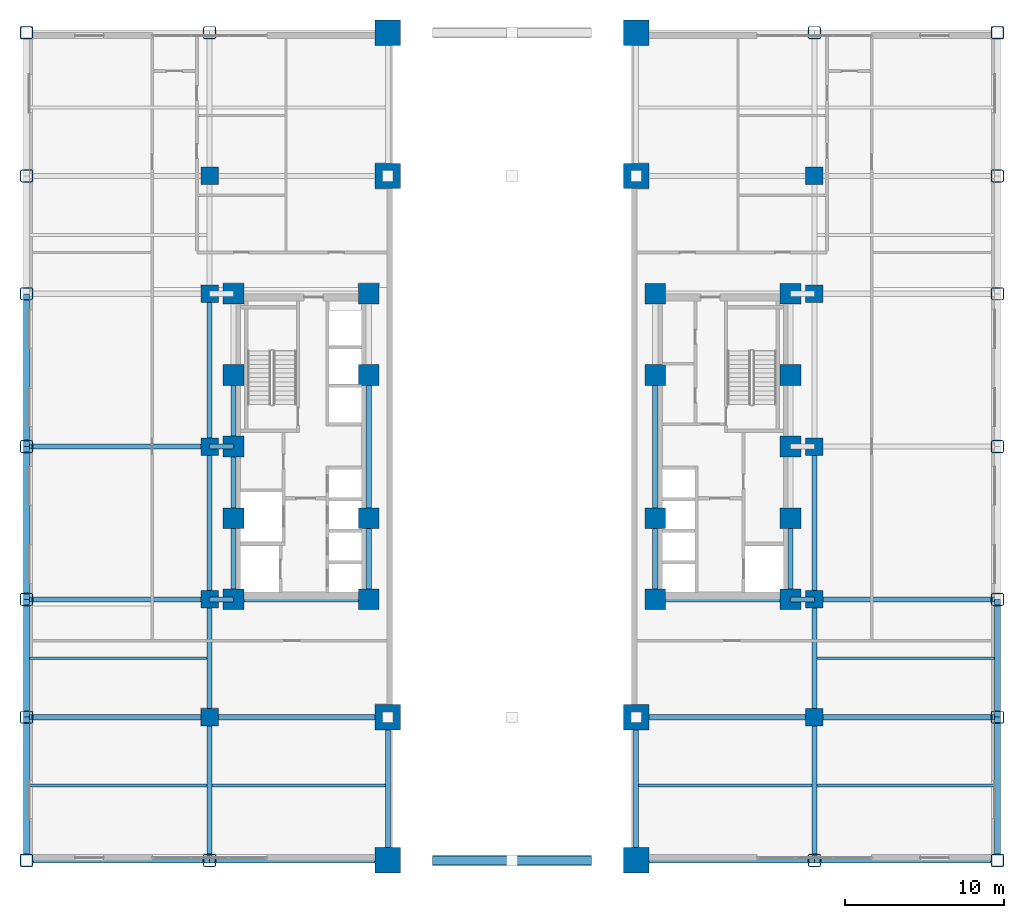
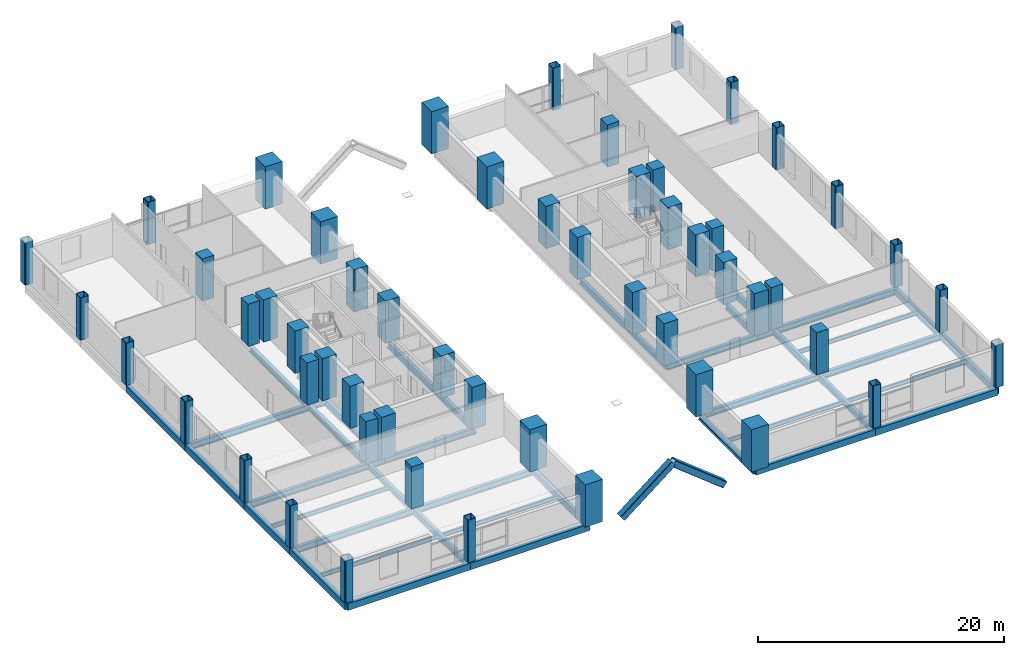
# One storey, part 1 of 14: 54 columns, 47 beams.
"""IFC4 building model written with IfcOpenShell, lengths in metres."""

from ifc_helpers import new_model, si_unit, direction, frame, origin, origin_2d, place, context, subcontext, project, spatial, rectangle, hollow_rectangle, i_section, extrude, material, material_profile, profile_set, type_object, element, save


model = new_model("IFC4")

# Units and contexts
model_context = context("Model", 3, precision=1e-05, world=origin(), true_north=direction((0.0, 1.0)))
body_context = subcontext(model_context, "Body", "Model", "MODEL_VIEW")
ifc_project = project(units=[si_unit("LENGTHUNIT", "METRE"), si_unit("AREAUNIT", "SQUARE_METRE"), si_unit("VOLUMEUNIT", "CUBIC_METRE"), si_unit("PLANEANGLEUNIT", "RADIAN"), si_unit("MASSUNIT", "GRAM", prefix="KILO")], contexts=[model_context])

# Site, building, storey
site_placement = place(None, origin())
site = spatial("IfcSite", under=ifc_project, at=site_placement, CompositionType="ELEMENT")
building_placement = place(site_placement, origin())
building = spatial("IfcBuilding", under=site, at=building_placement, Name="Nuvemarco Arch Tower", CompositionType="ELEMENT")
storey_placement = place(building_placement, frame((0.0, 0.0, 13.800048828125)))
storey = spatial("IfcBuildingStorey", under=building, at=storey_placement, Name="L03", CompositionType="ELEMENT", Elevation=13.800048828125)

# Columns
ifc_material_1 = material(Name="Concrete C60/75", Category="concrete")
ifc_material_profile_1 = material_profile(ifc_material_1, rectangle(XDim=1.10009765625, YDim=1.10009765625, at=origin_2d()), Name="RC-COL-1100x1100")
ifc_profile_set_1 = profile_set([ifc_material_profile_1], Name="Concrete C60/75")
column_type_1 = type_object("IfcColumnType", Name="COL-CORE-1100", PredefinedType="COLUMN", material=ifc_profile_set_1)
for number, where, z_axis, x_axis, name in (
    (1, (-19.0, -17.0, 0.0), (0.0, 0.0, 1.0), (1.0, 0.0, 0.0), "L03 column CP_-19.0_-17.0"),
    (2, (-19.0, -9.60009765625, 0.0), (0.0, 0.0, 1.0), (1.0, 0.0, 0.0), "L03 column CP_-19.0_-9.6"),
    (3, (-19.0, 0.0, 0.0), (0.0, 0.0, 1.0), (1.0, 0.0, 0.0), "L03 column CP_-19.0_+0.0"),
    (4, (-19.0, 9.60009765625, 0.0), (0.0, 0.0, 1.0), (1.0, 0.0, 0.0), "L03 column CP_-19.0_+9.6"),
    (5, (-19.0, 17.0, 0.0), (0.0, 0.0, 1.0), (1.0, 0.0, 0.0), "L03 column CP_-19.0_+17.0"),
    (6, (19.0, -17.0, 0.0), (0.0, 0.0, 1.0), (1.0, 0.0, 0.0), "L03 column CP_+19.0_-17.0"),
    (7, (19.0, -9.60009765625, 0.0), (0.0, 0.0, 1.0), (1.0, 0.0, 0.0), "L03 column CP_+19.0_-9.6"),
    (8, (19.0, 0.0, 0.0), (0.0, 0.0, 1.0), (1.0, 0.0, 0.0), "L03 column CP_+19.0_+0.0"),
    (9, (19.0, 9.60009765625, 0.0), (0.0, 0.0, 1.0), (1.0, 0.0, 0.0), "L03 column CP_+19.0_+9.6"),
    (10, (19.0, 17.0, 0.0), (0.0, 0.0, 1.0), (1.0, 0.0, 0.0), "L03 column CP_+19.0_+17.0"),
):
    element("IfcColumn", number, at=place(storey_placement, frame(where, z_axis=z_axis, x_axis=x_axis)), inside=storey, type_object=column_type_1, Name=name, PredefinedType="COLUMN", context=body_context, shape_type="SweptSolid", body=[
        extrude(rectangle(XDim=1.10009765625, YDim=1.10009765625, at=origin_2d()), origin(), (0.0, 0.0, 1.0), 4.199951171875),
    ])
ifc_material_profile_2 = material_profile(ifc_material_1, rectangle(XDim=1.300048828125, YDim=1.300048828125, at=origin_2d()), Name="RC-COL-1300x1300")
ifc_profile_set_2 = profile_set([ifc_material_profile_2], Name="Concrete C60/75")
column_type_2 = type_object("IfcColumnType", Name="COL-CORE-1300", PredefinedType="COLUMN", material=ifc_profile_set_2)
for number, where, z_axis, x_axis, name in (
    (11, (-17.5, -9.60009765625, 0.0), (0.0, 0.0, 1.0), (1.0, 0.0, 0.0), "L03 column CC_-17.5_-9.6"),
    (12, (-17.5, -4.5, 0.0), (0.0, 0.0, 1.0), (1.0, 0.0, 0.0), "L03 column CC_-17.5_-4.5"),
    (13, (-17.5, 4.5, 0.0), (0.0, 0.0, 1.0), (1.0, 0.0, 0.0), "L03 column CC_-17.5_+4.5"),
    (14, (-17.5, 9.60009765625, 0.0), (0.0, 0.0, 1.0), (1.0, 0.0, 0.0), "L03 column CC_-17.5_+9.6"),
    (15, (-9.0, -9.60009765625, 0.0), (0.0, 0.0, 1.0), (1.0, 0.0, 0.0), "L03 column CC_-9.0_-9.6"),
    (16, (-9.0, -4.5, 0.0), (0.0, 0.0, 1.0), (1.0, 0.0, 0.0), "L03 column CC_-9.0_-4.5"),
    (17, (-9.0, 4.5, 0.0), (0.0, 0.0, 1.0), (1.0, 0.0, 0.0), "L03 column CC_-9.0_+4.5"),
    (18, (-9.0, 9.60009765625, 0.0), (0.0, 0.0, 1.0), (1.0, 0.0, 0.0), "L03 column CC_-9.0_+9.6"),
    (19, (9.0, -9.60009765625, 0.0), (0.0, 0.0, 1.0), (1.0, 0.0, 0.0), "L03 column CC_+9.0_-9.6"),
    (20, (9.0, -4.5, 0.0), (0.0, 0.0, 1.0), (1.0, 0.0, 0.0), "L03 column CC_+9.0_-4.5"),
    (21, (9.0, 4.5, 0.0), (0.0, 0.0, 1.0), (1.0, 0.0, 0.0), "L03 column CC_+9.0_+4.5"),
    (22, (9.0, 9.60009765625, 0.0), (0.0, 0.0, 1.0), (1.0, 0.0, 0.0), "L03 column CC_+9.0_+9.6"),
    (23, (17.5, -9.60009765625, 0.0), (0.0, 0.0, 1.0), (1.0, 0.0, 0.0), "L03 column CC_+17.5_-9.6"),
    (24, (17.5, -4.5, 0.0), (0.0, 0.0, 1.0), (1.0, 0.0, 0.0), "L03 column CC_+17.5_-4.5"),
    (25, (17.5, 4.5, 0.0), (0.0, 0.0, 1.0), (1.0, 0.0, 0.0), "L03 column CC_+17.5_+4.5"),
    (26, (17.5, 9.60009765625, 0.0), (0.0, 0.0, 1.0), (1.0, 0.0, 0.0), "L03 column CC_+17.5_+9.6"),
    (27, (-17.5, 0.0, 0.0), (0.0, 0.0, 1.0), (1.0, 0.0, 0.0), "L03 column CC_-17.5_+0.0"),
    (28, (17.5, 0.0, 0.0), (0.0, 0.0, 1.0), (1.0, 0.0, 0.0), "L03 column CC_+17.5_+0.0"),
):
    element("IfcColumn", number, at=place(storey_placement, frame(where, z_axis=z_axis, x_axis=x_axis)), inside=storey, type_object=column_type_2, Name=name, PredefinedType="COLUMN", context=body_context, shape_type="SweptSolid", body=[
        extrude(rectangle(XDim=1.300048828125, YDim=1.300048828125, at=origin_2d()), origin(), (0.0, 0.0, 1.0), 4.199951171875),
    ])
ifc_material_2 = material(Name="Steel S460", Category="steel")
ifc_material_profile_3 = material_profile(ifc_material_2, hollow_rectangle(XDim=0.800048828125, YDim=0.800048828125, WallThickness=0.054931640625, InnerFilletRadius=0.054931640625, OuterFilletRadius=0.110107421875, at=origin_2d()), Name="SHS800x800x55")
ifc_profile_set_3 = profile_set([ifc_material_profile_3], Name="Steel S460")
column_type_3 = type_object("IfcColumnType", Name="COL-EXO-800", PredefinedType="COLUMN", material=ifc_profile_set_3)
for number, where, z_axis, x_axis, name in (
    (29, (-30.5, -26.0, 0.0), (0.0, 0.0, 1.0), (1.0, 0.0, 0.0), "L03 column CP_-30.5_-26.0"),
    (30, (-30.5, -17.0, 0.0), (0.0, 0.0, 1.0), (1.0, 0.0, 0.0), "L03 column CP_-30.5_-17.0"),
    (31, (-30.5, -9.60009765625, 0.0), (0.0, 0.0, 1.0), (1.0, 0.0, 0.0), "L03 column CP_-30.5_-9.6"),
    (32, (-30.5, 0.0, 0.0), (0.0, 0.0, 1.0), (1.0, 0.0, 0.0), "L03 column CP_-30.5_+0.0"),
    (33, (-30.5, 9.60009765625, 0.0), (0.0, 0.0, 1.0), (1.0, 0.0, 0.0), "L03 column CP_-30.5_+9.6"),
    (34, (-30.5, 17.0, 0.0), (0.0, 0.0, 1.0), (1.0, 0.0, 0.0), "L03 column CP_-30.5_+17.0"),
    (35, (-30.5, 26.0, 0.0), (0.0, 0.0, 1.0), (1.0, 0.0, 0.0), "L03 column CP_-30.5_+26.0"),
    (36, (-19.0, -26.0, 0.0), (0.0, 0.0, 1.0), (1.0, 0.0, 0.0), "L03 column CP_-19.0_-26.0"),
    (37, (-19.0, 26.0, 0.0), (0.0, 0.0, 1.0), (1.0, 0.0, 0.0), "L03 column CP_-19.0_+26.0"),
    (38, (19.0, -26.0, 0.0), (0.0, 0.0, 1.0), (1.0, 0.0, 0.0), "L03 column CP_+19.0_-26.0"),
    (39, (19.0, 26.0, 0.0), (0.0, 0.0, 1.0), (1.0, 0.0, 0.0), "L03 column CP_+19.0_+26.0"),
    (40, (30.5, -26.0, 0.0), (0.0, 0.0, 1.0), (1.0, 0.0, 0.0), "L03 column CP_+30.5_-26.0"),
    (41, (30.5, -17.0, 0.0), (0.0, 0.0, 1.0), (1.0, 0.0, 0.0), "L03 column CP_+30.5_-17.0"),
    (42, (30.5, -9.60009765625, 0.0), (0.0, 0.0, 1.0), (1.0, 0.0, 0.0), "L03 column CP_+30.5_-9.6"),
    (43, (30.5, 0.0, 0.0), (0.0, 0.0, 1.0), (1.0, 0.0, 0.0), "L03 column CP_+30.5_+0.0"),
    (44, (30.5, 9.60009765625, 0.0), (0.0, 0.0, 1.0), (1.0, 0.0, 0.0), "L03 column CP_+30.5_+9.6"),
    (45, (30.5, 17.0, 0.0), (0.0, 0.0, 1.0), (1.0, 0.0, 0.0), "L03 column CP_+30.5_+17.0"),
    (46, (30.5, 26.0, 0.0), (0.0, 0.0, 1.0), (1.0, 0.0, 0.0), "L03 column CP_+30.5_+26.0"),
):
    element("IfcColumn", number, at=place(storey_placement, frame(where, z_axis=z_axis, x_axis=x_axis)), inside=storey, type_object=column_type_3, Name=name, PredefinedType="COLUMN", context=body_context, shape_type="SweptSolid", body=[
        extrude(hollow_rectangle(XDim=0.800048828125, YDim=0.800048828125, WallThickness=0.054931640625, InnerFilletRadius=0.054931640625, OuterFilletRadius=0.110107421875, at=origin_2d()), origin(), (0.0, 0.0, 1.0), 4.199951171875),
    ])
ifc_material_profile_4 = material_profile(ifc_material_1, rectangle(XDim=1.60009765625, YDim=1.60009765625, at=origin_2d()), Name="RC-COL-1600x1600")
ifc_profile_set_4 = profile_set([ifc_material_profile_4], Name="Concrete C60/75")
column_type_4 = type_object("IfcColumnType", Name="COL-MEGA-1600-EXT", PredefinedType="COLUMN", material=ifc_profile_set_4)
for number, where, z_axis, x_axis, name in (
    (47, (-7.800048828125, -26.0, 0.0), (0.0, 0.0, 1.0), (1.0, 0.0, 0.0), "L03 column CM_-7.8_-26.0"),
    (48, (-7.800048828125, -17.0, 0.0), (0.0, 0.0, 1.0), (1.0, 0.0, 0.0), "L03 column CM_-7.8_-17.0"),
    (49, (-7.800048828125, 17.0, 0.0), (0.0, 0.0, 1.0), (1.0, 0.0, 0.0), "L03 column CM_-7.8_+17.0"),
    (50, (-7.800048828125, 26.0, 0.0), (0.0, 0.0, 1.0), (1.0, 0.0, 0.0), "L03 column CM_-7.8_+26.0"),
    (51, (7.800048828125, -26.0, 0.0), (0.0, 0.0, 1.0), (1.0, 0.0, 0.0), "L03 column CM_+7.8_-26.0"),
    (52, (7.800048828125, -17.0, 0.0), (0.0, 0.0, 1.0), (1.0, 0.0, 0.0), "L03 column CM_+7.8_-17.0"),
    (53, (7.800048828125, 17.0, 0.0), (0.0, 0.0, 1.0), (1.0, 0.0, 0.0), "L03 column CM_+7.8_+17.0"),
    (54, (7.800048828125, 26.0, 0.0), (0.0, 0.0, 1.0), (1.0, 0.0, 0.0), "L03 column CM_+7.8_+26.0"),
):
    element("IfcColumn", number, at=place(storey_placement, frame(where, z_axis=z_axis, x_axis=x_axis)), inside=storey, type_object=column_type_4, Name=name, PredefinedType="COLUMN", context=body_context, shape_type="SweptSolid", body=[
        extrude(rectangle(XDim=1.60009765625, YDim=1.60009765625, at=origin_2d()), origin(), (0.0, 0.0, 1.0), 4.199951171875),
    ])

# Beams
ifc_material_3 = material(Name="Steel S355", Category="steel")
ifc_material_profile_5 = material_profile(ifc_material_3, hollow_rectangle(XDim=0.64990234375, YDim=0.64990234375, WallThickness=0.0400390625, InnerFilletRadius=0.0400390625, OuterFilletRadius=0.080078125, at=origin_2d()), Name="SHS650x650x40")
ifc_profile_set_5 = profile_set([ifc_material_profile_5], Name="Steel S355")
beam_type_1 = type_object("IfcBeamType", Name="BM-ARCH-RIB", PredefinedType="BEAM", material=ifc_profile_set_5)
for number, where, z_axis, x_axis, name in (
    (55, (-4.800048828125, -26.0, -0.800048828125), (0.784045015832, 0.0, 0.620703965791), (0.0, 1.0, 0.0), "Monumental portal arch rib segment S-3"),
    (56, (0.0, -26.0, 3.0), (0.784045015832, 0.0, -0.620703965791), (0.0, 1.0, 0.0), "Monumental portal arch rib segment S-4"),
):
    element("IfcBeam", number, at=place(storey_placement, frame(where, z_axis=z_axis, x_axis=x_axis)), inside=storey, type_object=beam_type_1, Name=name, PredefinedType="BEAM", context=body_context, shape_type="SweptSolid", body=[
        extrude(hollow_rectangle(XDim=0.64990234375, YDim=0.64990234375, WallThickness=0.0400390625, InnerFilletRadius=0.0400390625, OuterFilletRadius=0.080078125, at=origin_2d()), origin(), (0.0, 0.0, 1.0), 6.1220703125),
    ])
ifc_material_profile_6 = material_profile(ifc_material_3, i_section(OverallWidth=0.324951171875, OverallDepth=0.615966796875, WebThickness=0.013916015625, FlangeThickness=0.021484375, FilletRadius=0.01611328125, at=origin_2d()), Name="W610x174")
ifc_profile_set_6 = profile_set([ifc_material_profile_6], Name="Steel S355")
beam_type_2 = type_object("IfcBeamType", Name="BM-GIRD-610H", PredefinedType="BEAM", material=ifc_profile_set_6)
beam_1_placement = place(storey_placement, frame((-19.0, -26.0, -0.6279296875), z_axis=(0.0, 1.0, 0.0), x_axis=(-1.0, 0.0, 0.0)))
element("IfcBeam", 57, at=beam_1_placement, inside=storey, type_object=beam_type_2, Name="L03 structural beam BGNS_L03_0_-19.0_-26.0", PredefinedType="BEAM", context=body_context, shape_type="SweptSolid", body=[
    extrude(i_section(OverallWidth=0.324951171875, OverallDepth=0.615966796875, WebThickness=0.013916015625, FlangeThickness=0.021484375, FilletRadius=0.01611328125, at=origin_2d()), origin(), (0.0, 0.0, 1.0), 9.0),
])
beam_2_placement = place(storey_placement, frame((-19.0, -17.0, -0.6279296875), z_axis=(0.0, 1.0, 0.0), x_axis=(-1.0, 0.0, 0.0)))
element("IfcBeam", 58, at=beam_2_placement, inside=storey, type_object=beam_type_2, Name="L03 structural beam BGNS_L03_0_-19.0_-17.0", PredefinedType="BEAM", context=body_context, shape_type="SweptSolid", body=[
    extrude(i_section(OverallWidth=0.324951171875, OverallDepth=0.615966796875, WebThickness=0.013916015625, FlangeThickness=0.021484375, FilletRadius=0.01611328125, at=origin_2d()), origin(), (0.0, 0.0, 1.0), 7.39990234375),
])
for number, where, z_axis, x_axis, name in (
    (59, (-19.0, -9.60009765625, -0.6279296875), (0.0, 1.0, 0.0), (-1.0, 0.0, 0.0), "L03 structural beam BGNS_L03_0_-19.0_-9.6"),
    (60, (-19.0, 0.0, -0.6279296875), (0.0, 1.0, 0.0), (-1.0, 0.0, 0.0), "L03 structural beam BGNS_L03_0_-19.0_+0.0"),
):
    element("IfcBeam", number, at=place(storey_placement, frame(where, z_axis=z_axis, x_axis=x_axis)), inside=storey, type_object=beam_type_2, Name=name, PredefinedType="BEAM", context=body_context, shape_type="SweptSolid", body=[
        extrude(i_section(OverallWidth=0.324951171875, OverallDepth=0.615966796875, WebThickness=0.013916015625, FlangeThickness=0.021484375, FilletRadius=0.01611328125, at=origin_2d()), origin(), (0.0, 0.0, 1.0), 9.60009765625),
    ])
beam_3_placement = place(storey_placement, frame((-17.5, -9.60009765625, -0.6279296875), z_axis=(0.0, 1.0, 0.0), x_axis=(-1.0, 0.0, 0.0)))
element("IfcBeam", 61, at=beam_3_placement, inside=storey, type_object=beam_type_2, Name="L03 structural beam BGNS_L03_0_-17.5_-9.6", PredefinedType="BEAM", context=body_context, shape_type="SweptSolid", body=[
    extrude(i_section(OverallWidth=0.324951171875, OverallDepth=0.615966796875, WebThickness=0.013916015625, FlangeThickness=0.021484375, FilletRadius=0.01611328125, at=origin_2d()), origin(), (0.0, 0.0, 1.0), 5.10009765625),
])
for number, where, z_axis, x_axis, name in (
    (62, (-17.5, -4.5, -0.6279296875), (0.0, 1.0, 0.0), (-1.0, 0.0, 0.0), "L03 structural beam BGNS_L03_0_-17.5_-4.5"),
    (63, (-17.5, 0.0, -0.6279296875), (0.0, 1.0, 0.0), (-1.0, 0.0, 0.0), "L03 structural beam BGNS_L03_0_-17.5_+0.0"),
):
    element("IfcBeam", number, at=place(storey_placement, frame(where, z_axis=z_axis, x_axis=x_axis)), inside=storey, type_object=beam_type_2, Name=name, PredefinedType="BEAM", context=body_context, shape_type="SweptSolid", body=[
        extrude(i_section(OverallWidth=0.324951171875, OverallDepth=0.615966796875, WebThickness=0.013916015625, FlangeThickness=0.021484375, FilletRadius=0.01611328125, at=origin_2d()), origin(), (0.0, 0.0, 1.0), 4.5),
    ])
beam_4_placement = place(storey_placement, frame((-9.0, -9.60009765625, -0.6279296875), z_axis=(0.0, 1.0, 0.0), x_axis=(-1.0, 0.0, 0.0)))
element("IfcBeam", 64, at=beam_4_placement, inside=storey, type_object=beam_type_2, Name="L03 structural beam BGNS_L03_0_-9.0_-9.6", PredefinedType="BEAM", context=body_context, shape_type="SweptSolid", body=[
    extrude(i_section(OverallWidth=0.324951171875, OverallDepth=0.615966796875, WebThickness=0.013916015625, FlangeThickness=0.021484375, FilletRadius=0.01611328125, at=origin_2d()), origin(), (0.0, 0.0, 1.0), 5.10009765625),
])
for number, where, z_axis, x_axis, name in (
    (65, (-9.0, -4.5, -0.6279296875), (0.0, 1.0, 0.0), (-1.0, 0.0, 0.0), "L03 structural beam BGNS_L03_0_-9.0_-4.5"),
    (66, (-7.800048828125, -26.0, -0.6279296875), (0.0, 1.0, 0.0), (-1.0, 0.0, 0.0), "L03 structural beam BGNS_L03_0_-7.8_-26.0"),
):
    element("IfcBeam", number, at=place(storey_placement, frame(where, z_axis=z_axis, x_axis=x_axis)), inside=storey, type_object=beam_type_2, Name=name, PredefinedType="BEAM", context=body_context, shape_type="SweptSolid", body=[
        extrude(i_section(OverallWidth=0.324951171875, OverallDepth=0.615966796875, WebThickness=0.013916015625, FlangeThickness=0.021484375, FilletRadius=0.01611328125, at=origin_2d()), origin(), (0.0, 0.0, 1.0), 9.0),
    ])
beam_5_placement = place(storey_placement, frame((-30.5, -17.0, -0.6279296875), z_axis=(1.0, 0.0, 0.0), x_axis=(0.0, 1.0, 0.0)))
element("IfcBeam", 67, at=beam_5_placement, inside=storey, type_object=beam_type_2, Name="L03 structural beam BGEW_L03_0_-17.0_-30.5", PredefinedType="BEAM", context=body_context, shape_type="SweptSolid", body=[
    extrude(i_section(OverallWidth=0.324951171875, OverallDepth=0.615966796875, WebThickness=0.013916015625, FlangeThickness=0.021484375, FilletRadius=0.01611328125, at=origin_2d()), origin(), (0.0, 0.0, 1.0), 11.5),
])
beam_6_placement = place(storey_placement, frame((-19.0, -17.0, -0.6279296875), z_axis=(1.0, 0.0, 0.0), x_axis=(0.0, 1.0, 0.0)))
element("IfcBeam", 68, at=beam_6_placement, inside=storey, type_object=beam_type_2, Name="L03 structural beam BGEW_L03_0_-17.0_-19.0", PredefinedType="BEAM", context=body_context, shape_type="SweptSolid", body=[
    extrude(i_section(OverallWidth=0.324951171875, OverallDepth=0.615966796875, WebThickness=0.013916015625, FlangeThickness=0.021484375, FilletRadius=0.01611328125, at=origin_2d()), origin(), (0.0, 0.0, 1.0), 11.199951171875),
])
beam_7_placement = place(storey_placement, frame((-30.5, -9.60009765625, -0.6279296875), z_axis=(1.0, 0.0, 0.0), x_axis=(0.0, 1.0, 0.0)))
element("IfcBeam", 69, at=beam_7_placement, inside=storey, type_object=beam_type_2, Name="L03 structural beam BGEW_L03_0_-9.6_-30.5", PredefinedType="BEAM", context=body_context, shape_type="SweptSolid", body=[
    extrude(i_section(OverallWidth=0.324951171875, OverallDepth=0.615966796875, WebThickness=0.013916015625, FlangeThickness=0.021484375, FilletRadius=0.01611328125, at=origin_2d()), origin(), (0.0, 0.0, 1.0), 11.5),
])
beam_8_placement = place(storey_placement, frame((-19.0, -9.60009765625, -0.6279296875), z_axis=(1.0, 0.0, 0.0), x_axis=(0.0, 1.0, 0.0)))
element("IfcBeam", 70, at=beam_8_placement, inside=storey, type_object=beam_type_2, Name="L03 structural beam BGEW_L03_0_-9.6_-19.0", PredefinedType="BEAM", context=body_context, shape_type="SweptSolid", body=[
    extrude(i_section(OverallWidth=0.324951171875, OverallDepth=0.615966796875, WebThickness=0.013916015625, FlangeThickness=0.021484375, FilletRadius=0.01611328125, at=origin_2d()), origin(), (0.0, 0.0, 1.0), 1.5),
])
beam_9_placement = place(storey_placement, frame((-17.5, -9.60009765625, -0.6279296875), z_axis=(1.0, 0.0, 0.0), x_axis=(0.0, 1.0, 0.0)))
element("IfcBeam", 71, at=beam_9_placement, inside=storey, type_object=beam_type_2, Name="L03 structural beam BGEW_L03_0_-9.6_-17.5", PredefinedType="BEAM", context=body_context, shape_type="SweptSolid", body=[
    extrude(i_section(OverallWidth=0.324951171875, OverallDepth=0.615966796875, WebThickness=0.013916015625, FlangeThickness=0.021484375, FilletRadius=0.01611328125, at=origin_2d()), origin(), (0.0, 0.0, 1.0), 8.5),
])
beam_10_placement = place(storey_placement, frame((-30.5, 0.0, -0.6279296875), z_axis=(1.0, 0.0, 0.0), x_axis=(0.0, 1.0, 0.0)))
element("IfcBeam", 72, at=beam_10_placement, inside=storey, type_object=beam_type_2, Name="L03 structural beam BGEW_L03_0_+0.0_-30.5", PredefinedType="BEAM", context=body_context, shape_type="SweptSolid", body=[
    extrude(i_section(OverallWidth=0.324951171875, OverallDepth=0.615966796875, WebThickness=0.013916015625, FlangeThickness=0.021484375, FilletRadius=0.01611328125, at=origin_2d()), origin(), (0.0, 0.0, 1.0), 11.5),
])
beam_11_placement = place(storey_placement, frame((-19.0, 0.0, -0.6279296875), z_axis=(1.0, 0.0, 0.0), x_axis=(0.0, 1.0, 0.0)))
element("IfcBeam", 73, at=beam_11_placement, inside=storey, type_object=beam_type_2, Name="L03 structural beam BGEW_L03_0_+0.0_-19.0", PredefinedType="BEAM", context=body_context, shape_type="SweptSolid", body=[
    extrude(i_section(OverallWidth=0.324951171875, OverallDepth=0.615966796875, WebThickness=0.013916015625, FlangeThickness=0.021484375, FilletRadius=0.01611328125, at=origin_2d()), origin(), (0.0, 0.0, 1.0), 1.5),
])
beam_12_placement = place(storey_placement, frame((7.800048828125, -26.0, -0.6279296875), z_axis=(0.0, 1.0, 0.0), x_axis=(-1.0, 0.0, 0.0)))
element("IfcBeam", 74, at=beam_12_placement, inside=storey, type_object=beam_type_2, Name="L03 structural beam BGNS_L03_1_+7.8_-26.0", PredefinedType="BEAM", context=body_context, shape_type="SweptSolid", body=[
    extrude(i_section(OverallWidth=0.324951171875, OverallDepth=0.615966796875, WebThickness=0.013916015625, FlangeThickness=0.021484375, FilletRadius=0.01611328125, at=origin_2d()), origin(), (0.0, 0.0, 1.0), 9.0),
])
beam_13_placement = place(storey_placement, frame((9.0, -9.60009765625, -0.6279296875), z_axis=(0.0, 1.0, 0.0), x_axis=(-1.0, 0.0, 0.0)))
element("IfcBeam", 75, at=beam_13_placement, inside=storey, type_object=beam_type_2, Name="L03 structural beam BGNS_L03_1_+9.0_-9.6", PredefinedType="BEAM", context=body_context, shape_type="SweptSolid", body=[
    extrude(i_section(OverallWidth=0.324951171875, OverallDepth=0.615966796875, WebThickness=0.013916015625, FlangeThickness=0.021484375, FilletRadius=0.01611328125, at=origin_2d()), origin(), (0.0, 0.0, 1.0), 5.10009765625),
])
beam_14_placement = place(storey_placement, frame((9.0, -4.5, -0.6279296875), z_axis=(0.0, 1.0, 0.0), x_axis=(-1.0, 0.0, 0.0)))
element("IfcBeam", 76, at=beam_14_placement, inside=storey, type_object=beam_type_2, Name="L03 structural beam BGNS_L03_1_+9.0_-4.5", PredefinedType="BEAM", context=body_context, shape_type="SweptSolid", body=[
    extrude(i_section(OverallWidth=0.324951171875, OverallDepth=0.615966796875, WebThickness=0.013916015625, FlangeThickness=0.021484375, FilletRadius=0.01611328125, at=origin_2d()), origin(), (0.0, 0.0, 1.0), 9.0),
])
beam_15_placement = place(storey_placement, frame((17.5, -9.60009765625, -0.6279296875), z_axis=(0.0, 1.0, 0.0), x_axis=(-1.0, 0.0, 0.0)))
element("IfcBeam", 77, at=beam_15_placement, inside=storey, type_object=beam_type_2, Name="L03 structural beam BGNS_L03_1_+17.5_-9.6", PredefinedType="BEAM", context=body_context, shape_type="SweptSolid", body=[
    extrude(i_section(OverallWidth=0.324951171875, OverallDepth=0.615966796875, WebThickness=0.013916015625, FlangeThickness=0.021484375, FilletRadius=0.01611328125, at=origin_2d()), origin(), (0.0, 0.0, 1.0), 5.10009765625),
])
beam_16_placement = place(storey_placement, frame((19.0, -26.0, -0.6279296875), z_axis=(0.0, 1.0, 0.0), x_axis=(-1.0, 0.0, 0.0)))
element("IfcBeam", 78, at=beam_16_placement, inside=storey, type_object=beam_type_2, Name="L03 structural beam BGNS_L03_1_+19.0_-26.0", PredefinedType="BEAM", context=body_context, shape_type="SweptSolid", body=[
    extrude(i_section(OverallWidth=0.324951171875, OverallDepth=0.615966796875, WebThickness=0.013916015625, FlangeThickness=0.021484375, FilletRadius=0.01611328125, at=origin_2d()), origin(), (0.0, 0.0, 1.0), 9.0),
])
beam_17_placement = place(storey_placement, frame((19.0, -17.0, -0.6279296875), z_axis=(0.0, 1.0, 0.0), x_axis=(-1.0, 0.0, 0.0)))
element("IfcBeam", 79, at=beam_17_placement, inside=storey, type_object=beam_type_2, Name="L03 structural beam BGNS_L03_1_+19.0_-17.0", PredefinedType="BEAM", context=body_context, shape_type="SweptSolid", body=[
    extrude(i_section(OverallWidth=0.324951171875, OverallDepth=0.615966796875, WebThickness=0.013916015625, FlangeThickness=0.021484375, FilletRadius=0.01611328125, at=origin_2d()), origin(), (0.0, 0.0, 1.0), 7.39990234375),
])
beam_18_placement = place(storey_placement, frame((19.0, -9.60009765625, -0.6279296875), z_axis=(0.0, 1.0, 0.0), x_axis=(-1.0, 0.0, 0.0)))
element("IfcBeam", 80, at=beam_18_placement, inside=storey, type_object=beam_type_2, Name="L03 structural beam BGNS_L03_1_+19.0_-9.6", PredefinedType="BEAM", context=body_context, shape_type="SweptSolid", body=[
    extrude(i_section(OverallWidth=0.324951171875, OverallDepth=0.615966796875, WebThickness=0.013916015625, FlangeThickness=0.021484375, FilletRadius=0.01611328125, at=origin_2d()), origin(), (0.0, 0.0, 1.0), 9.60009765625),
])
beam_19_placement = place(storey_placement, frame((7.800048828125, -17.0, -0.6279296875), z_axis=(1.0, 0.0, 0.0), x_axis=(0.0, 1.0, 0.0)))
element("IfcBeam", 81, at=beam_19_placement, inside=storey, type_object=beam_type_2, Name="L03 structural beam BGEW_L03_1_-17.0_+7.8", PredefinedType="BEAM", context=body_context, shape_type="SweptSolid", body=[
    extrude(i_section(OverallWidth=0.324951171875, OverallDepth=0.615966796875, WebThickness=0.013916015625, FlangeThickness=0.021484375, FilletRadius=0.01611328125, at=origin_2d()), origin(), (0.0, 0.0, 1.0), 11.199951171875),
])
beam_20_placement = place(storey_placement, frame((19.0, -17.0, -0.6279296875), z_axis=(1.0, 0.0, 0.0), x_axis=(0.0, 1.0, 0.0)))
element("IfcBeam", 82, at=beam_20_placement, inside=storey, type_object=beam_type_2, Name="L03 structural beam BGEW_L03_1_-17.0_+19.0", PredefinedType="BEAM", context=body_context, shape_type="SweptSolid", body=[
    extrude(i_section(OverallWidth=0.324951171875, OverallDepth=0.615966796875, WebThickness=0.013916015625, FlangeThickness=0.021484375, FilletRadius=0.01611328125, at=origin_2d()), origin(), (0.0, 0.0, 1.0), 11.5),
])
beam_21_placement = place(storey_placement, frame((9.0, -9.60009765625, -0.6279296875), z_axis=(1.0, 0.0, 0.0), x_axis=(0.0, 1.0, 0.0)))
element("IfcBeam", 83, at=beam_21_placement, inside=storey, type_object=beam_type_2, Name="L03 structural beam BGEW_L03_1_-9.6_+9.0", PredefinedType="BEAM", context=body_context, shape_type="SweptSolid", body=[
    extrude(i_section(OverallWidth=0.324951171875, OverallDepth=0.615966796875, WebThickness=0.013916015625, FlangeThickness=0.021484375, FilletRadius=0.01611328125, at=origin_2d()), origin(), (0.0, 0.0, 1.0), 8.5),
])
beam_22_placement = place(storey_placement, frame((17.5, -9.60009765625, -0.6279296875), z_axis=(1.0, 0.0, 0.0), x_axis=(0.0, 1.0, 0.0)))
element("IfcBeam", 84, at=beam_22_placement, inside=storey, type_object=beam_type_2, Name="L03 structural beam BGEW_L03_1_-9.6_+17.5", PredefinedType="BEAM", context=body_context, shape_type="SweptSolid", body=[
    extrude(i_section(OverallWidth=0.324951171875, OverallDepth=0.615966796875, WebThickness=0.013916015625, FlangeThickness=0.021484375, FilletRadius=0.01611328125, at=origin_2d()), origin(), (0.0, 0.0, 1.0), 1.5),
])
beam_23_placement = place(storey_placement, frame((19.0, -9.60009765625, -0.6279296875), z_axis=(1.0, 0.0, 0.0), x_axis=(0.0, 1.0, 0.0)))
element("IfcBeam", 85, at=beam_23_placement, inside=storey, type_object=beam_type_2, Name="L03 structural beam BGEW_L03_1_-9.6_+19.0", PredefinedType="BEAM", context=body_context, shape_type="SweptSolid", body=[
    extrude(i_section(OverallWidth=0.324951171875, OverallDepth=0.615966796875, WebThickness=0.013916015625, FlangeThickness=0.021484375, FilletRadius=0.01611328125, at=origin_2d()), origin(), (0.0, 0.0, 1.0), 11.5),
])
ifc_material_profile_7 = material_profile(ifc_material_3, i_section(OverallWidth=0.179931640625, OverallDepth=0.4130859375, WebThickness=0.009765625, FlangeThickness=0.01611328125, FilletRadius=0.014892578125, at=origin_2d()), Name="W410x75")
ifc_profile_set_7 = profile_set([ifc_material_profile_7], Name="Steel S355")
beam_type_3 = type_object("IfcBeamType", Name="BM-JOIST-410", PredefinedType="JOIST", material=ifc_profile_set_7)
beam_24_placement = place(storey_placement, frame((-30.324951171875, -21.300048828125, -0.526611328125), z_axis=(1.0, 0.0, 0.0), x_axis=(0.0, 1.0, 0.0)))
element("IfcBeam", 86, at=beam_24_placement, inside=storey, type_object=beam_type_3, Name="L03 structural beam BJ_L03_0_-21.3_-30.5", PredefinedType="JOIST", context=body_context, shape_type="SweptSolid", body=[
    extrude(i_section(OverallWidth=0.179931640625, OverallDepth=0.4130859375, WebThickness=0.009765625, FlangeThickness=0.01611328125, FilletRadius=0.014892578125, at=origin_2d()), origin(), (0.0, 0.0, 1.0), 11.162353515625),
])
beam_25_placement = place(storey_placement, frame((-18.83740234375, -21.300048828125, -0.526611328125), z_axis=(1.0, 0.0, 0.0), x_axis=(0.0, 1.0, 0.0)))
element("IfcBeam", 87, at=beam_25_placement, inside=storey, type_object=beam_type_3, Name="L03 structural beam BJ_L03_0_-21.3_-19.0", PredefinedType="JOIST", context=body_context, shape_type="SweptSolid", body=[
    extrude(i_section(OverallWidth=0.179931640625, OverallDepth=0.4130859375, WebThickness=0.009765625, FlangeThickness=0.01611328125, FilletRadius=0.014892578125, at=origin_2d()), origin(), (0.0, 0.0, 1.0), 10.875),
])
beam_26_placement = place(storey_placement, frame((-30.324951171875, -13.300048828125, -0.526611328125), z_axis=(1.0, 0.0, 0.0), x_axis=(0.0, 1.0, 0.0)))
element("IfcBeam", 88, at=beam_26_placement, inside=storey, type_object=beam_type_3, Name="L03 structural beam BJ_L03_0_-13.3_-30.5", PredefinedType="JOIST", context=body_context, shape_type="SweptSolid", body=[
    extrude(i_section(OverallWidth=0.179931640625, OverallDepth=0.4130859375, WebThickness=0.009765625, FlangeThickness=0.01611328125, FilletRadius=0.014892578125, at=origin_2d()), origin(), (0.0, 0.0, 1.0), 11.162353515625),
])
beam_27_placement = place(storey_placement, frame((7.96240234375, -21.300048828125, -0.526611328125), z_axis=(1.0, 0.0, 0.0), x_axis=(0.0, 1.0, 0.0)))
element("IfcBeam", 89, at=beam_27_placement, inside=storey, type_object=beam_type_3, Name="L03 structural beam BJ_L03_1_-21.3_+7.8", PredefinedType="JOIST", context=body_context, shape_type="SweptSolid", body=[
    extrude(i_section(OverallWidth=0.179931640625, OverallDepth=0.4130859375, WebThickness=0.009765625, FlangeThickness=0.01611328125, FilletRadius=0.014892578125, at=origin_2d()), origin(), (0.0, 0.0, 1.0), 10.875),
])
for number, where, z_axis, x_axis, name in (
    (90, (19.16259765625, -21.300048828125, -0.526611328125), (1.0, 0.0, 0.0), (0.0, 1.0, 0.0), "L03 structural beam BJ_L03_1_-21.3_+19.0"),
    (91, (19.16259765625, -13.300048828125, -0.526611328125), (1.0, 0.0, 0.0), (0.0, 1.0, 0.0), "L03 structural beam BJ_L03_1_-13.3_+19.0"),
):
    element("IfcBeam", number, at=place(storey_placement, frame(where, z_axis=z_axis, x_axis=x_axis)), inside=storey, type_object=beam_type_3, Name=name, PredefinedType="JOIST", context=body_context, shape_type="SweptSolid", body=[
        extrude(i_section(OverallWidth=0.179931640625, OverallDepth=0.4130859375, WebThickness=0.009765625, FlangeThickness=0.01611328125, FilletRadius=0.014892578125, at=origin_2d()), origin(), (0.0, 0.0, 1.0), 11.162353515625),
    ])
ifc_material_4 = material(Name="Precast concrete C45/55", Category="concrete")
ifc_material_profile_8 = material_profile(ifc_material_4, rectangle(XDim=0.35009765625, YDim=0.64990234375, at=origin_2d()), Name="PC-SP-350x650")
ifc_profile_set_8 = profile_set([ifc_material_profile_8], Name="Precast concrete C45/55")
beam_type_4 = type_object("IfcBeamType", Name="BM-SPAN-RC", PredefinedType="SPANDREL", material=ifc_profile_set_8)
beam_28_placement = place(storey_placement, frame((-30.5, -26.0, -0.64501953125), z_axis=(0.0, 1.0, 0.0), x_axis=(-1.0, 0.0, 0.0)))
element("IfcBeam", 92, at=beam_28_placement, inside=storey, type_object=beam_type_4, Name="L03 structural beam BGNS_L03_0_-30.5_-26.0", PredefinedType="SPANDREL", context=body_context, shape_type="SweptSolid", body=[
    extrude(rectangle(XDim=0.35009765625, YDim=0.64990234375, at=origin_2d()), origin(), (0.0, 0.0, 1.0), 9.0),
])
beam_29_placement = place(storey_placement, frame((-30.5, -17.0, -0.64501953125), z_axis=(0.0, 1.0, 0.0), x_axis=(-1.0, 0.0, 0.0)))
element("IfcBeam", 93, at=beam_29_placement, inside=storey, type_object=beam_type_4, Name="L03 structural beam BGNS_L03_0_-30.5_-17.0", PredefinedType="SPANDREL", context=body_context, shape_type="SweptSolid", body=[
    extrude(rectangle(XDim=0.35009765625, YDim=0.64990234375, at=origin_2d()), origin(), (0.0, 0.0, 1.0), 7.39990234375),
])
for number, where, z_axis, x_axis, name in (
    (94, (-30.5, -9.60009765625, -0.64501953125), (0.0, 1.0, 0.0), (-1.0, 0.0, 0.0), "L03 structural beam BGNS_L03_0_-30.5_-9.6"),
    (95, (-30.5, 0.0, -0.64501953125), (0.0, 1.0, 0.0), (-1.0, 0.0, 0.0), "L03 structural beam BGNS_L03_0_-30.5_+0.0"),
):
    element("IfcBeam", number, at=place(storey_placement, frame(where, z_axis=z_axis, x_axis=x_axis)), inside=storey, type_object=beam_type_4, Name=name, PredefinedType="SPANDREL", context=body_context, shape_type="SweptSolid", body=[
        extrude(rectangle(XDim=0.35009765625, YDim=0.64990234375, at=origin_2d()), origin(), (0.0, 0.0, 1.0), 9.60009765625),
    ])
beam_30_placement = place(storey_placement, frame((-30.5, -26.0, -0.64501953125), z_axis=(1.0, 0.0, 0.0), x_axis=(0.0, 1.0, 0.0)))
element("IfcBeam", 96, at=beam_30_placement, inside=storey, type_object=beam_type_4, Name="L03 structural beam BGEW_L03_0_-26.0_-30.5", PredefinedType="SPANDREL", context=body_context, shape_type="SweptSolid", body=[
    extrude(rectangle(XDim=0.35009765625, YDim=0.64990234375, at=origin_2d()), origin(), (0.0, 0.0, 1.0), 11.5),
])
beam_31_placement = place(storey_placement, frame((-19.0, -26.0, -0.64501953125), z_axis=(1.0, 0.0, 0.0), x_axis=(0.0, 1.0, 0.0)))
element("IfcBeam", 97, at=beam_31_placement, inside=storey, type_object=beam_type_4, Name="L03 structural beam BGEW_L03_0_-26.0_-19.0", PredefinedType="SPANDREL", context=body_context, shape_type="SweptSolid", body=[
    extrude(rectangle(XDim=0.35009765625, YDim=0.64990234375, at=origin_2d()), origin(), (0.0, 0.0, 1.0), 11.199951171875),
])
beam_32_placement = place(storey_placement, frame((30.5, -26.0, -0.64501953125), z_axis=(0.0, 1.0, 0.0), x_axis=(-1.0, 0.0, 0.0)))
element("IfcBeam", 98, at=beam_32_placement, inside=storey, type_object=beam_type_4, Name="L03 structural beam BGNS_L03_1_+30.5_-26.0", PredefinedType="SPANDREL", context=body_context, shape_type="SweptSolid", body=[
    extrude(rectangle(XDim=0.35009765625, YDim=0.64990234375, at=origin_2d()), origin(), (0.0, 0.0, 1.0), 9.0),
])
beam_33_placement = place(storey_placement, frame((30.5, -17.0, -0.64501953125), z_axis=(0.0, 1.0, 0.0), x_axis=(-1.0, 0.0, 0.0)))
element("IfcBeam", 99, at=beam_33_placement, inside=storey, type_object=beam_type_4, Name="L03 structural beam BGNS_L03_1_+30.5_-17.0", PredefinedType="SPANDREL", context=body_context, shape_type="SweptSolid", body=[
    extrude(rectangle(XDim=0.35009765625, YDim=0.64990234375, at=origin_2d()), origin(), (0.0, 0.0, 1.0), 7.39990234375),
])
beam_34_placement = place(storey_placement, frame((7.800048828125, -26.0, -0.64501953125), z_axis=(1.0, 0.0, 0.0), x_axis=(0.0, 1.0, 0.0)))
element("IfcBeam", 100, at=beam_34_placement, inside=storey, type_object=beam_type_4, Name="L03 structural beam BGEW_L03_1_-26.0_+7.8", PredefinedType="SPANDREL", context=body_context, shape_type="SweptSolid", body=[
    extrude(rectangle(XDim=0.35009765625, YDim=0.64990234375, at=origin_2d()), origin(), (0.0, 0.0, 1.0), 11.199951171875),
])
beam_35_placement = place(storey_placement, frame((19.0, -26.0, -0.64501953125), z_axis=(1.0, 0.0, 0.0), x_axis=(0.0, 1.0, 0.0)))
element("IfcBeam", 101, at=beam_35_placement, inside=storey, type_object=beam_type_4, Name="L03 structural beam BGEW_L03_1_-26.0_+19.0", PredefinedType="SPANDREL", context=body_context, shape_type="SweptSolid", body=[
    extrude(rectangle(XDim=0.35009765625, YDim=0.64990234375, at=origin_2d()), origin(), (0.0, 0.0, 1.0), 11.5),
])

save(model, "model.ifc")
